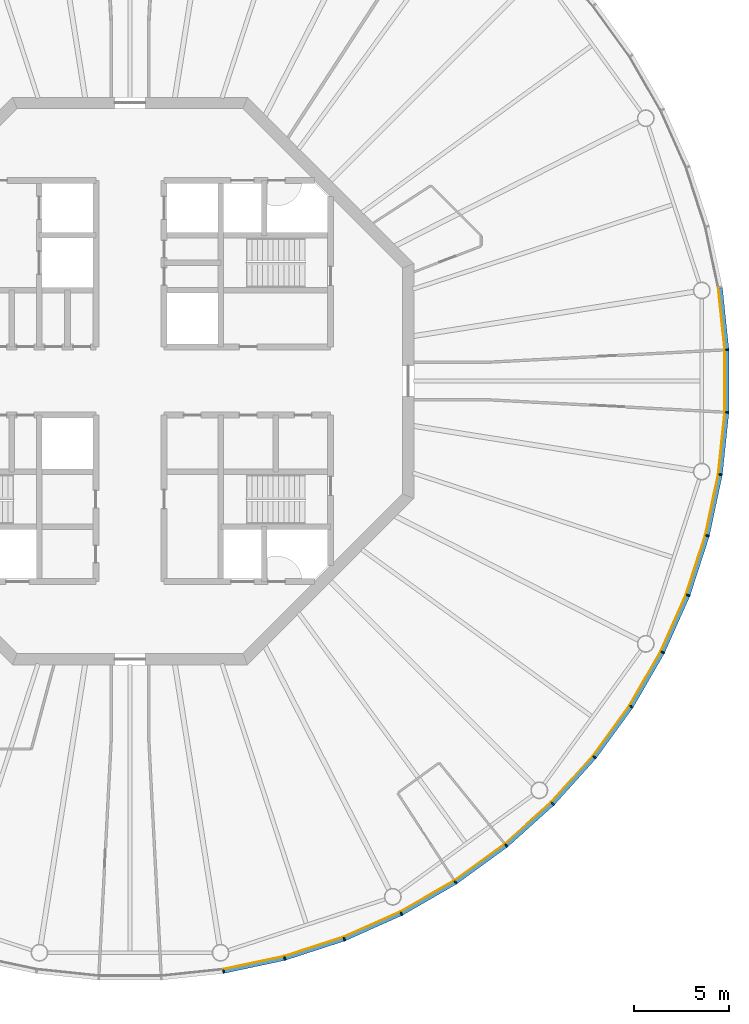
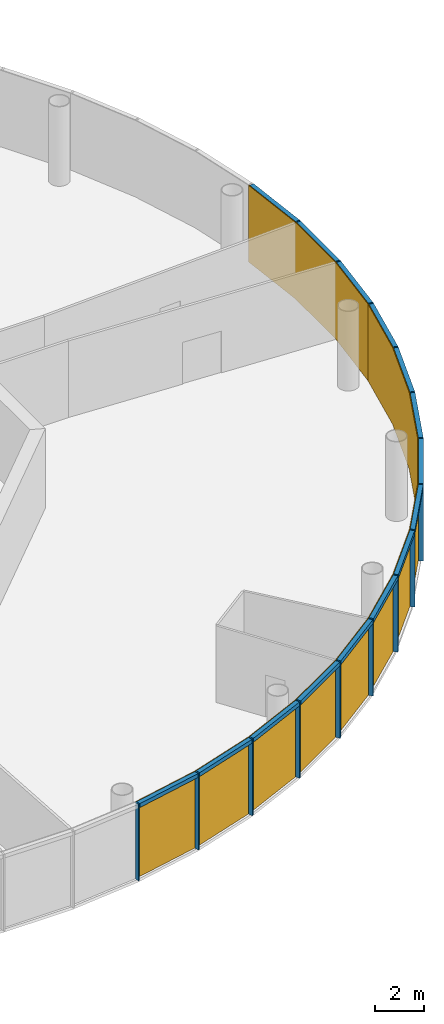
# One storey, part 9 of 13: 30 members, 5 curtain walls.
"""IFC4 building model written with IfcOpenShell, lengths in metres."""

from ifc_helpers import new_model, si_unit, direction, frame, origin, origin_2d, place, context, subcontext, project, spatial, polyline, rectangle, outline, extrude, material, layer, layer_set, material_profile, profile_set, type_object, element, aggregate, save


model = new_model("IFC4")

# Units and contexts
model_context = context("Model", 3, precision=1e-05, world=origin(), true_north=direction((0.0, 1.0)))
body_context = subcontext(model_context, "Body", "Model", "MODEL_VIEW")
ifc_project = project(units=[si_unit("LENGTHUNIT", "METRE"), si_unit("AREAUNIT", "SQUARE_METRE"), si_unit("VOLUMEUNIT", "CUBIC_METRE"), si_unit("PLANEANGLEUNIT", "RADIAN"), si_unit("MASSUNIT", "GRAM", prefix="KILO")], contexts=[model_context])

# Member
ifc_material_1 = material(Name="Anodised aluminium", Category="aluminium")
ifc_material_profile_1 = material_profile(ifc_material_1, rectangle(XDim=0.070068359375, YDim=0.205078125, at=origin_2d()), Name="Mullion 70 x 205 mm anodised aluminium")
ifc_profile_set_1 = profile_set([ifc_material_profile_1], Name="Anodised aluminium")
member_type_1 = type_object("IfcMemberType", Name="Mullion 70 x 205 mm anodised aluminium", PredefinedType="MULLION", material=ifc_profile_set_1)
site_placement = place(None, origin())
building_placement = place(site_placement, origin())
storey_placement = place(building_placement, frame((0.0, 0.0, 376.0)))
member_1_placement = place(storey_placement, frame((94.943603515625, 48.78662109375, 0.0), z_axis=(0.0, 0.0, 1.0), x_axis=(0.987688340595, 0.15643446504, 0.0)))
member_1 = element("IfcMember", 1, at=member_1_placement, type_object=member_type_1, Name="MULLION L87-45", PredefinedType="MULLION", context=body_context, shape_type="SweptSolid", body=[
    extrude(rectangle(XDim=0.070068359375, YDim=0.205078125, at=origin_2d()), origin(), (0.0, 0.0, 1.0), 3.85009765625),
])

member_2_placement = place(storey_placement, frame((98.179443359375, 49.474365234375, 0.0), z_axis=(0.0, 0.0, 1.0), x_axis=(0.965925826289, 0.258819045103, 0.0)))
member_2 = element("IfcMember", 2, at=member_2_placement, type_object=member_type_1, Name="MULLION L87-46", PredefinedType="MULLION", context=body_context, shape_type="SweptSolid", body=[
    extrude(rectangle(XDim=0.070068359375, YDim=0.205078125, at=origin_2d()), origin(), (0.0, 0.0, 1.0), 3.85009765625),
])

member_3_placement = place(storey_placement, frame((101.325439453125, 50.49658203125, 0.0), z_axis=(0.0, 0.0, 1.0), x_axis=(0.933580426497, 0.358367949545, 0.0)))
member_3 = element("IfcMember", 3, at=member_3_placement, type_object=member_type_1, Name="MULLION L87-47", PredefinedType="MULLION", context=body_context, shape_type="SweptSolid", body=[
    extrude(rectangle(XDim=0.070068359375, YDim=0.205078125, at=origin_2d()), origin(), (0.0, 0.0, 1.0), 3.85009765625),
])

member_4_placement = place(storey_placement, frame((104.34716796875, 51.842041015625, 0.0), z_axis=(0.0, 0.0, 1.0), x_axis=(0.891006524188, 0.45399049974, 0.0)))
member_4 = element("IfcMember", 4, at=member_4_placement, type_object=member_type_1, Name="MULLION L87-48", PredefinedType="MULLION", context=body_context, shape_type="SweptSolid", body=[
    extrude(rectangle(XDim=0.070068359375, YDim=0.205078125, at=origin_2d()), origin(), (0.0, 0.0, 1.0), 3.85009765625),
])

member_5_placement = place(storey_placement, frame((107.2119140625, 53.495849609375, 0.0), z_axis=(0.0, 0.0, 1.0), x_axis=(0.838670567945, 0.544639035015, 0.0)))
member_5 = element("IfcMember", 5, at=member_5_placement, type_object=member_type_1, Name="MULLION L87-49", PredefinedType="MULLION", context=body_context, shape_type="SweptSolid", body=[
    extrude(rectangle(XDim=0.070068359375, YDim=0.205078125, at=origin_2d()), origin(), (0.0, 0.0, 1.0), 3.85009765625),
])

member_6_placement = place(storey_placement, frame((109.88818359375, 55.440185546875, 0.0), z_axis=(0.0, 0.0, 1.0), x_axis=(0.777145961457, 0.62932039105, 0.0)))
member_6 = element("IfcMember", 6, at=member_6_placement, type_object=member_type_1, Name="MULLION L87-50", PredefinedType="MULLION", context=body_context, shape_type="SweptSolid", body=[
    extrude(rectangle(XDim=0.070068359375, YDim=0.205078125, at=origin_2d()), origin(), (0.0, 0.0, 1.0), 3.85009765625),
])

member_7_placement = place(storey_placement, frame((112.346435546875, 57.653564453125, 0.0), z_axis=(0.0, 0.0, 1.0), x_axis=(0.707106781187, 0.707106781187, 0.0)))
member_7 = element("IfcMember", 7, at=member_7_placement, type_object=member_type_1, Name="MULLION L87-51", PredefinedType="MULLION", context=body_context, shape_type="SweptSolid", body=[
    extrude(rectangle(XDim=0.070068359375, YDim=0.205078125, at=origin_2d()), origin(), (0.0, 0.0, 1.0), 3.85009765625),
])

member_8_placement = place(storey_placement, frame((114.559814453125, 60.11181640625, 0.0), z_axis=(0.0, 0.0, 1.0), x_axis=(0.62932039105, 0.777145961457, 0.0)))
member_8 = element("IfcMember", 8, at=member_8_placement, type_object=member_type_1, Name="MULLION L87-52", PredefinedType="MULLION", context=body_context, shape_type="SweptSolid", body=[
    extrude(rectangle(XDim=0.070068359375, YDim=0.205078125, at=origin_2d()), origin(), (0.0, 0.0, 1.0), 3.85009765625),
])

member_9_placement = place(storey_placement, frame((116.504150390625, 62.7880859375, 0.0), z_axis=(0.0, 0.0, 1.0), x_axis=(0.544639035015, 0.838670567945, 0.0)))
member_9 = element("IfcMember", 9, at=member_9_placement, type_object=member_type_1, Name="MULLION L87-53", PredefinedType="MULLION", context=body_context, shape_type="SweptSolid", body=[
    extrude(rectangle(XDim=0.070068359375, YDim=0.205078125, at=origin_2d()), origin(), (0.0, 0.0, 1.0), 3.85009765625),
])

member_10_placement = place(storey_placement, frame((118.157958984375, 65.65283203125, 0.0), z_axis=(0.0, 0.0, 1.0), x_axis=(0.45399049974, 0.891006524188, 0.0)))
member_10 = element("IfcMember", 10, at=member_10_placement, type_object=member_type_1, Name="MULLION L87-54", PredefinedType="MULLION", context=body_context, shape_type="SweptSolid", body=[
    extrude(rectangle(XDim=0.070068359375, YDim=0.205078125, at=origin_2d()), origin(), (0.0, 0.0, 1.0), 3.85009765625),
])

member_11_placement = place(storey_placement, frame((119.50341796875, 68.674560546875, 0.0), z_axis=(0.0, 0.0, 1.0), x_axis=(0.358367949545, 0.933580426497, 0.0)))
member_11 = element("IfcMember", 11, at=member_11_placement, type_object=member_type_1, Name="MULLION L87-55", PredefinedType="MULLION", context=body_context, shape_type="SweptSolid", body=[
    extrude(rectangle(XDim=0.070068359375, YDim=0.205078125, at=origin_2d()), origin(), (0.0, 0.0, 1.0), 3.85009765625),
])

member_12_placement = place(storey_placement, frame((120.525634765625, 71.820556640625, 0.0), z_axis=(0.0, 0.0, 1.0), x_axis=(0.258819045103, 0.965925826289, 0.0)))
member_12 = element("IfcMember", 12, at=member_12_placement, type_object=member_type_1, Name="MULLION L87-56", PredefinedType="MULLION", context=body_context, shape_type="SweptSolid", body=[
    extrude(rectangle(XDim=0.070068359375, YDim=0.205078125, at=origin_2d()), origin(), (0.0, 0.0, 1.0), 3.85009765625),
])

member_13_placement = place(storey_placement, frame((121.21337890625, 75.056396484375, 0.0), z_axis=(0.0, 0.0, 1.0), x_axis=(0.15643446504, 0.987688340595, 0.0)))
member_13 = element("IfcMember", 13, at=member_13_placement, type_object=member_type_1, Name="MULLION L87-57", PredefinedType="MULLION", context=body_context, shape_type="SweptSolid", body=[
    extrude(rectangle(XDim=0.070068359375, YDim=0.205078125, at=origin_2d()), origin(), (0.0, 0.0, 1.0), 3.85009765625),
])

member_14_placement = place(storey_placement, frame((121.55908203125, 78.345947265625, 0.0), z_axis=(0.0, 0.0, 1.0), x_axis=(0.052335956243, 0.998629534755, 0.0)))
member_14 = element("IfcMember", 14, at=member_14_placement, type_object=member_type_1, Name="MULLION L87-58", PredefinedType="MULLION", context=body_context, shape_type="SweptSolid", body=[
    extrude(rectangle(XDim=0.070068359375, YDim=0.205078125, at=origin_2d()), origin(), (0.0, 0.0, 1.0), 3.85009765625),
])

member_15_placement = place(storey_placement, frame((121.55908203125, 81.654052734375, 0.0), z_axis=(0.0, 0.0, 1.0), x_axis=(-0.052335956243, 0.998629534755, 0.0)))
member_15 = element("IfcMember", 15, at=member_15_placement, type_object=member_type_1, Name="MULLION L87-59", PredefinedType="MULLION", context=body_context, shape_type="SweptSolid", body=[
    extrude(rectangle(XDim=0.070068359375, YDim=0.205078125, at=origin_2d()), origin(), (0.0, 0.0, 1.0), 3.85009765625),
])

ifc_material_2 = material(Name="Anodised aluminium", Category="aluminium")
ifc_material_profile_2 = material_profile(ifc_material_2, rectangle(XDim=0.205078125, YDim=0.195068359375, at=origin_2d()), Name="Transom 195 x 205 mm anodised aluminium")
ifc_profile_set_2 = profile_set([ifc_material_profile_2], Name="Anodised aluminium")
member_type_2 = type_object("IfcMemberType", Name="Transom 195 x 205 mm anodised aluminium", PredefinedType="USERDEFINED", material=ifc_profile_set_2)
member_16_placement = place(storey_placement, frame((94.983154296875, 48.794921875, 3.75244140625), z_axis=(0.978153082647, 0.207885898771, 0.0), x_axis=(-0.207885898771, 0.978153082647, 0.0)))
member_16 = element("IfcMember", 16, at=member_16_placement, type_object=member_type_2, Name="TRANSOM L87-45", ObjectType="TRANSOM", PredefinedType="USERDEFINED", context=body_context, shape_type="SweptSolid", body=[
    extrude(rectangle(XDim=0.205078125, YDim=0.195068359375, at=origin_2d()), origin(), (0.0, 0.0, 1.0), 3.227294921875),
])

member_17_placement = place(storey_placement, frame((98.2177734375, 49.486572265625, 3.75244140625), z_axis=(0.951046855117, 0.309046726844, 0.0), x_axis=(-0.309046726844, 0.951046855117, 0.0)))
member_17 = element("IfcMember", 17, at=member_17_placement, type_object=member_type_2, Name="TRANSOM L87-46", ObjectType="TRANSOM", PredefinedType="USERDEFINED", context=body_context, shape_type="SweptSolid", body=[
    extrude(rectangle(XDim=0.205078125, YDim=0.195068359375, at=origin_2d()), origin(), (0.0, 0.0, 1.0), 3.22705078125),
])

member_18_placement = place(storey_placement, frame((101.3623046875, 50.5126953125, 3.75244140625), z_axis=(0.913521178731, 0.406791170024, 0.0), x_axis=(-0.406791170024, 0.913521178731, 0.0)))
member_18 = element("IfcMember", 18, at=member_18_placement, type_object=member_type_2, Name="TRANSOM L87-47", ObjectType="TRANSOM", PredefinedType="USERDEFINED", context=body_context, shape_type="SweptSolid", body=[
    extrude(rectangle(XDim=0.205078125, YDim=0.195068359375, at=origin_2d()), origin(), (0.0, 0.0, 1.0), 3.22705078125),
])

member_19_placement = place(storey_placement, frame((104.38232421875, 51.862060546875, 3.75244140625), z_axis=(0.866023062494, 0.500004055213, 0.0), x_axis=(-0.500004055213, 0.866023062494, 0.0)))
member_19 = element("IfcMember", 19, at=member_19_placement, type_object=member_type_2, Name="TRANSOM L87-48", ObjectType="TRANSOM", PredefinedType="USERDEFINED", context=body_context, shape_type="SweptSolid", body=[
    extrude(rectangle(XDim=0.205078125, YDim=0.195068359375, at=origin_2d()), origin(), (0.0, 0.0, 1.0), 3.22705078125),
])

member_20_placement = place(storey_placement, frame((107.24462890625, 53.51953125, 3.75244140625), z_axis=(0.809004252048, 0.587802790201, 0.0), x_axis=(-0.587802790201, 0.809004252048, 0.0)))
member_20 = element("IfcMember", 20, at=member_20_placement, type_object=member_type_2, Name="TRANSOM L87-49", ObjectType="TRANSOM", PredefinedType="USERDEFINED", context=body_context, shape_type="SweptSolid", body=[
    extrude(rectangle(XDim=0.205078125, YDim=0.195068359375, at=origin_2d()), origin(), (0.0, 0.0, 1.0), 3.227294921875),
])

member_21_placement = place(storey_placement, frame((109.918212890625, 55.467041015625, 3.75244140625), z_axis=(0.743132370743, 0.669144438484, 0.0), x_axis=(-0.669144438484, 0.743132370743, 0.0)))
member_21 = element("IfcMember", 21, at=member_21_placement, type_object=member_type_2, Name="TRANSOM L87-50", ObjectType="TRANSOM", PredefinedType="USERDEFINED", context=body_context, shape_type="SweptSolid", body=[
    extrude(rectangle(XDim=0.205078125, YDim=0.195068359375, at=origin_2d()), origin(), (0.0, 0.0, 1.0), 3.22705078125),
])

member_22_placement = place(storey_placement, frame((112.37353515625, 57.68359375, 3.75244140625), z_axis=(0.669144438484, 0.743132370743, 0.0), x_axis=(-0.743132370743, 0.669144438484, 0.0)))
member_22 = element("IfcMember", 22, at=member_22_placement, type_object=member_type_2, Name="TRANSOM L87-51", ObjectType="TRANSOM", PredefinedType="USERDEFINED", context=body_context, shape_type="SweptSolid", body=[
    extrude(rectangle(XDim=0.205078125, YDim=0.195068359375, at=origin_2d()), origin(), (0.0, 0.0, 1.0), 3.22705078125),
])

member_23_placement = place(storey_placement, frame((114.58349609375, 60.14453125, 3.75244140625), z_axis=(0.587802790201, 0.809004252048, 0.0), x_axis=(-0.809004252048, 0.587802790201, 0.0)))
member_23 = element("IfcMember", 23, at=member_23_placement, type_object=member_type_2, Name="TRANSOM L87-52", ObjectType="TRANSOM", PredefinedType="USERDEFINED", context=body_context, shape_type="SweptSolid", body=[
    extrude(rectangle(XDim=0.205078125, YDim=0.195068359375, at=origin_2d()), origin(), (0.0, 0.0, 1.0), 3.227294921875),
])

member_24_placement = place(storey_placement, frame((116.5244140625, 62.822998046875, 3.75244140625), z_axis=(0.500004055213, 0.866023062494, 0.0), x_axis=(-0.866023062494, 0.500004055213, 0.0)))
member_24 = element("IfcMember", 24, at=member_24_placement, type_object=member_type_2, Name="TRANSOM L87-53", ObjectType="TRANSOM", PredefinedType="USERDEFINED", context=body_context, shape_type="SweptSolid", body=[
    extrude(rectangle(XDim=0.205078125, YDim=0.195068359375, at=origin_2d()), origin(), (0.0, 0.0, 1.0), 3.22705078125),
])

member_25_placement = place(storey_placement, frame((118.174560546875, 65.689697265625, 3.75244140625), z_axis=(0.406791170024, 0.913521178731, 0.0), x_axis=(-0.913521178731, 0.406791170024, 0.0)))
member_25 = element("IfcMember", 25, at=member_25_placement, type_object=member_type_2, Name="TRANSOM L87-54", ObjectType="TRANSOM", PredefinedType="USERDEFINED", context=body_context, shape_type="SweptSolid", body=[
    extrude(rectangle(XDim=0.205078125, YDim=0.195068359375, at=origin_2d()), origin(), (0.0, 0.0, 1.0), 3.22705078125),
])

member_26_placement = place(storey_placement, frame((119.51611328125, 68.713134765625, 3.75244140625), z_axis=(0.309046726844, 0.951046855117, 0.0), x_axis=(-0.951046855117, 0.309046726844, 0.0)))
member_26 = element("IfcMember", 26, at=member_26_placement, type_object=member_type_2, Name="TRANSOM L87-55", ObjectType="TRANSOM", PredefinedType="USERDEFINED", context=body_context, shape_type="SweptSolid", body=[
    extrude(rectangle(XDim=0.205078125, YDim=0.195068359375, at=origin_2d()), origin(), (0.0, 0.0, 1.0), 3.22705078125),
])

member_27_placement = place(storey_placement, frame((120.5341796875, 71.860107421875, 3.75244140625), z_axis=(0.207885898771, 0.978153082647, 0.0), x_axis=(-0.978153082647, 0.207885898771, 0.0)))
member_27 = element("IfcMember", 27, at=member_27_placement, type_object=member_type_2, Name="TRANSOM L87-56", ObjectType="TRANSOM", PredefinedType="USERDEFINED", context=body_context, shape_type="SweptSolid", body=[
    extrude(rectangle(XDim=0.205078125, YDim=0.195068359375, at=origin_2d()), origin(), (0.0, 0.0, 1.0), 3.227294921875),
])

member_28_placement = place(storey_placement, frame((121.2177734375, 75.096435546875, 3.75244140625), z_axis=(0.104550890115, 0.994519537956, 0.0), x_axis=(-0.994519537956, 0.104550890115, 0.0)))
member_28 = element("IfcMember", 28, at=member_28_placement, type_object=member_type_2, Name="TRANSOM L87-57", ObjectType="TRANSOM", PredefinedType="USERDEFINED", context=body_context, shape_type="SweptSolid", body=[
    extrude(rectangle(XDim=0.205078125, YDim=0.195068359375, at=origin_2d()), origin(), (0.0, 0.0, 1.0), 3.22705078125),
])

member_29_placement = place(storey_placement, frame((121.559326171875, 78.386474609375, 3.75244140625), z_axis=(0.0, 1.0, 0.0), x_axis=(-1.0, 0.0, 0.0)))
member_29 = element("IfcMember", 29, at=member_29_placement, type_object=member_type_2, Name="TRANSOM L87-58", ObjectType="TRANSOM", PredefinedType="USERDEFINED", context=body_context, shape_type="SweptSolid", body=[
    extrude(rectangle(XDim=0.205078125, YDim=0.195068359375, at=origin_2d()), origin(), (0.0, 0.0, 1.0), 3.22705078125),
])

member_30_placement = place(storey_placement, frame((121.55517578125, 81.694091796875, 3.75244140625), z_axis=(-0.104550890115, 0.994519537956, 0.0), x_axis=(-0.994519537956, -0.104550890115, 0.0)))
member_30 = element("IfcMember", 30, at=member_30_placement, type_object=member_type_2, Name="TRANSOM L87-59", ObjectType="TRANSOM", PredefinedType="USERDEFINED", context=body_context, shape_type="SweptSolid", body=[
    extrude(rectangle(XDim=0.205078125, YDim=0.195068359375, at=origin_2d()), origin(), (0.0, 0.0, 1.0), 3.22705078125),
])

# Site, building, storey
site = spatial("IfcSite", under=ifc_project, at=site_placement, CompositionType="ELEMENT")
building = spatial("IfcBuilding", under=site, at=building_placement, Name="Entoto Ring Tower", CompositionType="ELEMENT")
storey = spatial("IfcBuildingStorey", under=building, at=storey_placement, Name="L87", CompositionType="ELEMENT", Elevation=376.0)

# Curtain wall
ifc_material_3 = material(Name="Clear low-iron glass", Category="glass")
ifc_layer = layer(ifc_material_3, 0.035888671875)
ifc_layer_set = layer_set([ifc_layer], Name="Clear low-iron glass")
curtain_wall_type = type_object("IfcCurtainWallType", Name="Curtain wall system CW6 glazing 36 mm", PredefinedType="NOTDEFINED", material=ifc_layer_set)
curtain_wall_1_placement = place(storey_placement, origin())
curtain_wall_1 = element("IfcCurtainWall", 31, at=curtain_wall_1_placement, inside=storey, type_object=curtain_wall_type, Name="CW6 L87-16", PredefinedType="NOTDEFINED", context=body_context, shape_type="SweptSolid", body=[
    extrude(outline(polyline([(94.927734375, 48.8876953125), (98.15283203125, 49.5732421875), (101.28857421875, 50.59228515625), (104.30078125, 51.933349609375), (104.284423828125, 51.96533203125), (101.275634765625, 50.6259765625), (98.1435546875, 49.608154296875), (94.922119140625, 48.92333984375), (94.927734375, 48.8876953125)])), origin(), (0.0, 0.0, 1.0), 3.85009765625),
])

aggregate(curtain_wall_1, [member_1, member_2, member_3, member_16, member_17, member_18])

curtain_wall_2_placement = place(storey_placement, origin())
curtain_wall_2 = element("IfcCurtainWall", 32, at=curtain_wall_2_placement, inside=storey, type_object=curtain_wall_type, Name="CW6 L87-17", PredefinedType="NOTDEFINED", context=body_context, shape_type="SweptSolid", body=[
    extrude(outline(polyline([(104.30078125, 51.933349609375), (107.15625, 53.581787109375), (109.823486328125, 55.52001953125), (112.27392578125, 57.72607421875), (112.248291015625, 57.751708984375), (109.801025390625, 55.5478515625), (107.136474609375, 53.612060546875), (104.284423828125, 51.96533203125), (104.30078125, 51.933349609375)])), origin(), (0.0, 0.0, 1.0), 3.85009765625),
])

aggregate(curtain_wall_2, [member_4, member_5, member_6, member_19, member_20, member_21])

curtain_wall_3_placement = place(storey_placement, origin())
curtain_wall_3 = element("IfcCurtainWall", 33, at=curtain_wall_3_placement, inside=storey, type_object=curtain_wall_type, Name="CW6 L87-18", PredefinedType="NOTDEFINED", context=body_context, shape_type="SweptSolid", body=[
    extrude(outline(polyline([(112.27392578125, 57.72607421875), (114.47998046875, 60.176513671875), (116.418212890625, 62.84375), (118.066650390625, 65.69921875), (118.03466796875, 65.715576171875), (116.387939453125, 62.863525390625), (114.4521484375, 60.198974609375), (112.248291015625, 57.751708984375), (112.27392578125, 57.72607421875)])), origin(), (0.0, 0.0, 1.0), 3.85009765625),
])

aggregate(curtain_wall_3, [member_7, member_8, member_9, member_22, member_23, member_24])

curtain_wall_4_placement = place(storey_placement, origin())
curtain_wall_4 = element("IfcCurtainWall", 34, at=curtain_wall_4_placement, inside=storey, type_object=curtain_wall_type, Name="CW6 L87-19", PredefinedType="NOTDEFINED", context=body_context, shape_type="SweptSolid", body=[
    extrude(outline(polyline([(118.066650390625, 65.69921875), (119.40771484375, 68.71142578125), (120.4267578125, 71.84716796875), (121.1123046875, 75.072265625), (121.07666015625, 75.077880859375), (120.391845703125, 71.8564453125), (119.3740234375, 68.724365234375), (118.03466796875, 65.715576171875), (118.066650390625, 65.69921875)])), origin(), (0.0, 0.0, 1.0), 3.85009765625),
])

aggregate(curtain_wall_4, [member_10, member_11, member_12, member_25, member_26, member_27])

curtain_wall_5_placement = place(storey_placement, origin())
curtain_wall_5 = element("IfcCurtainWall", 35, at=curtain_wall_5_placement, inside=storey, type_object=curtain_wall_type, Name="CW6 L87-20", PredefinedType="NOTDEFINED", context=body_context, shape_type="SweptSolid", body=[
    extrude(outline(polyline([(121.1123046875, 75.072265625), (121.456787109375, 78.351318359375), (121.456787109375, 81.648681640625), (121.1123046875, 84.927734375), (121.07666015625, 84.922119140625), (121.4208984375, 81.646728515625), (121.4208984375, 78.353271484375), (121.07666015625, 75.077880859375), (121.1123046875, 75.072265625)])), origin(), (0.0, 0.0, 1.0), 3.85009765625),
])

aggregate(curtain_wall_5, [member_13, member_14, member_15, member_28, member_29, member_30])

save(model, "model.ifc")
